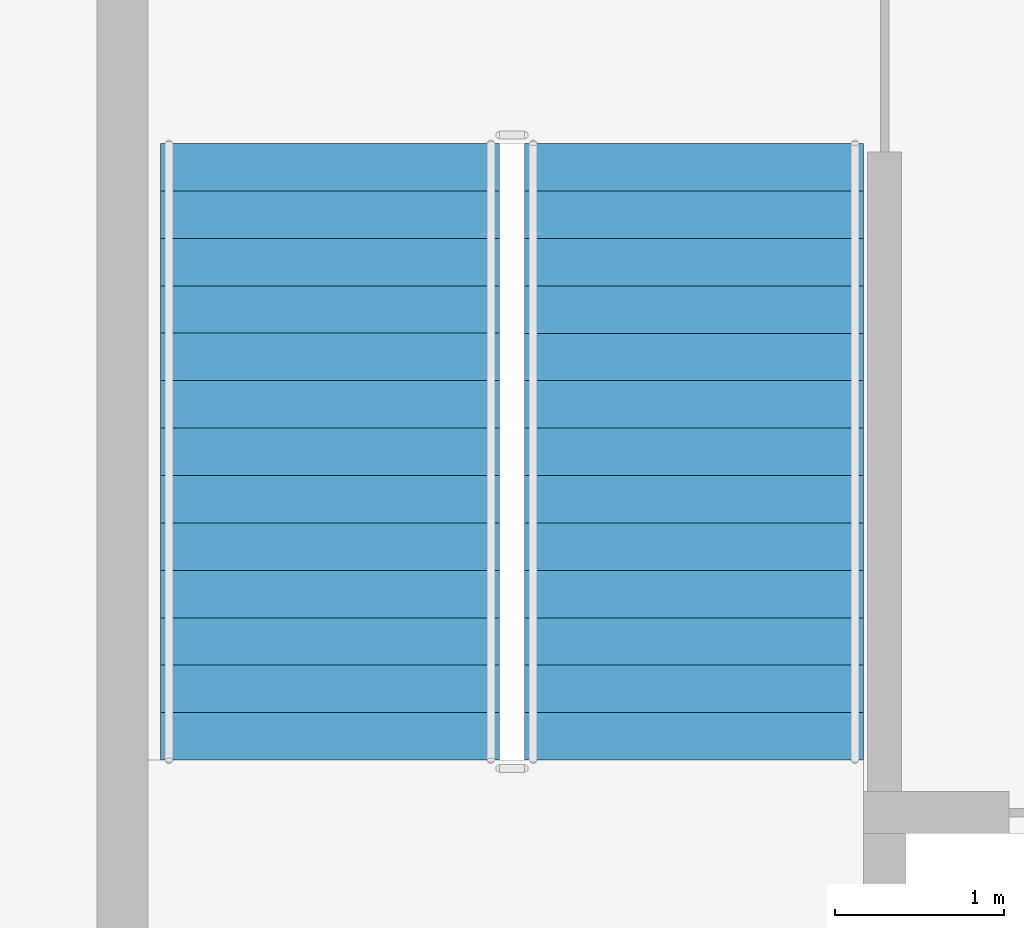
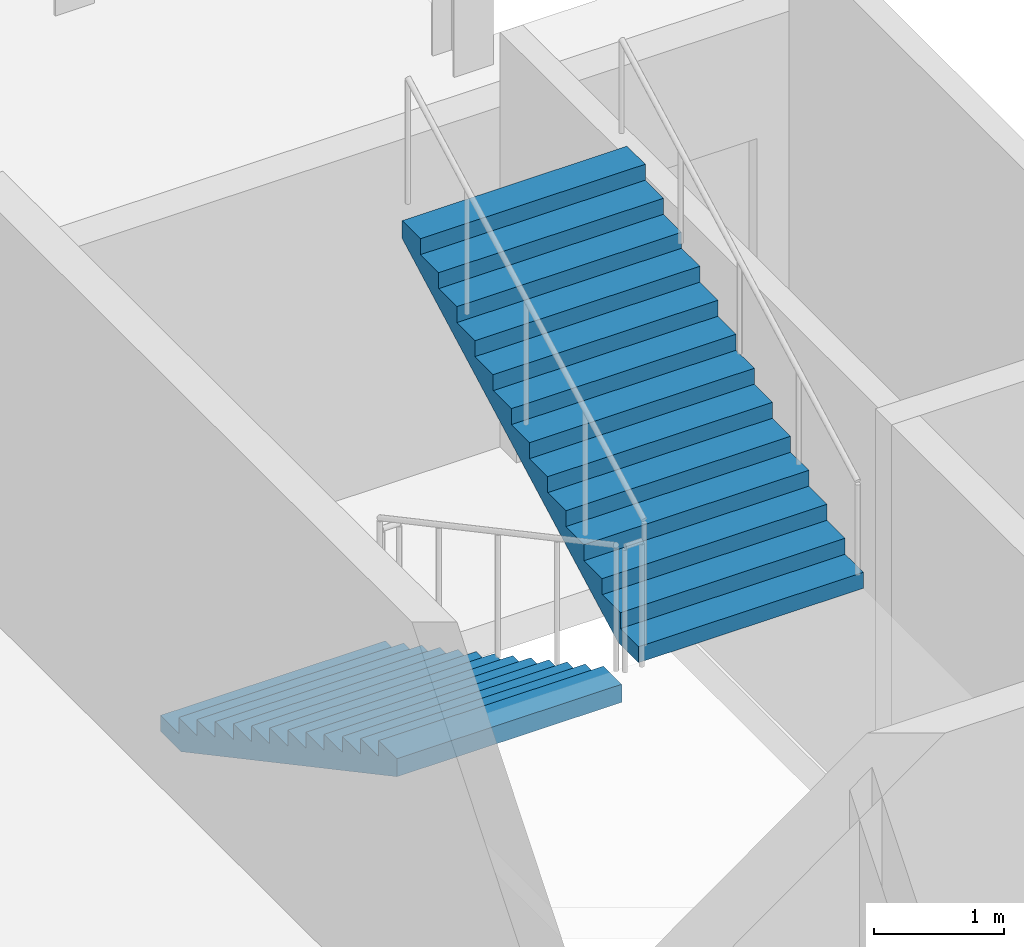
# One storey, part 4 of 7: 2 stair flights, 1 element without a shape of its own.
"""IFC4 building model written with IfcOpenShell, lengths in metres."""

import ifcopenshell
import ifcopenshell.guid

model = None  # the IFC model being written
_history = None  # IfcOwnerHistory: only IFC2X3 demands one
_inside = {}  # id of a spatial element -> (the spatial element, [elements in it])
_under = {}  # id of a project, library or spatial element -> (it, [spatial elements below it])
_declared = {}  # id of a project -> (the project, [libraries it declares])
_typed = {}  # id of a type object -> (the type object, [elements of that type])
_made_of = {}  # id of a material, layer set ... -> (it, [elements and type objects made of it])


def new_model(schema):
    """Start an empty IFC model of exactly this schema.

    Asked for "IFC4X3", IfcOpenShell would pick the latest addendum, in which some entities
    have other attributes; the version numbers below select the first issue.
    IFC2X3 requires an IfcOwnerHistory on every rooted entity: one is made here for all.
    """
    global model, _history
    if schema == "IFC4X3":
        model = ifcopenshell.file(schema_version=(4, 3, 0, 0))
    else:
        model = ifcopenshell.file(schema=schema)
    _inside.clear()
    _under.clear()
    _declared.clear()
    _typed.clear()
    _made_of.clear()
    _history = None
    if model.schema == "IFC2X3":
        org = make("IfcOrganization", Name="unknown")
        user = make(
            "IfcPersonAndOrganization",
            ThePerson=make("IfcPerson", FamilyName="unknown"),
            TheOrganization=org,
        )
        app = make(
            "IfcApplication",
            ApplicationDeveloper=org,
            Version="unknown",
            ApplicationFullName="unknown",
            ApplicationIdentifier="unknown",
        )
        _history = make(
            "IfcOwnerHistory",
            OwningUser=user,
            OwningApplication=app,
            ChangeAction="ADDED",
            CreationDate=0,
        )
    return model


def make(cls, **values):
    """One entity of the class cls with the attributes given. An attribute that is None is left unset."""
    return model.create_entity(
        cls, **{name: value for name, value in values.items() if value is not None}
    )


def rooted(cls, **values):
    """An entity with a GlobalId (a new one), such as an element, a storey or a relation."""
    return make(cls, GlobalId=ifcopenshell.guid.new(), OwnerHistory=_history, **values)


def si_unit(unit_type, name, prefix=None):
    """IfcSIUnit, for example si_unit("LENGTHUNIT", "METRE", prefix="MILLI")."""
    return make("IfcSIUnit", UnitType=unit_type, Prefix=prefix, Name=name)


def assignment(units):
    """IfcUnitAssignment: the units of a project."""
    return None if units is None else make("IfcUnitAssignment", Units=units)


def point(xyz):
    """IfcCartesianPoint."""
    return None if xyz is None else make("IfcCartesianPoint", Coordinates=xyz)


def direction(xyz):
    """IfcDirection."""
    return None if xyz is None else make("IfcDirection", DirectionRatios=xyz)


def frame(location, z_axis=None, x_axis=None):
    """IfcAxis2Placement3D, a coordinate frame: its origin and axes. An axis left out is left unset."""
    return make(
        "IfcAxis2Placement3D",
        Location=point(location),
        Axis=direction(z_axis),
        RefDirection=direction(x_axis),
    )


def origin():
    """The frame at (0, 0, 0) with its axes left unset."""
    return frame((0.0, 0.0, 0.0))


def place(relative_to, where):
    """IfcLocalPlacement: puts the frame where relative to a parent placement (None: the world)."""
    return make(
        "IfcLocalPlacement", PlacementRelTo=relative_to, RelativePlacement=where
    )


def context(
    kind, dimensions, precision=None, world=None, true_north=None, identifier=None
):
    """IfcGeometricRepresentationContext, for example the 3D "Model" context."""
    return make(
        "IfcGeometricRepresentationContext",
        ContextIdentifier=identifier,
        ContextType=kind,
        CoordinateSpaceDimension=dimensions,
        Precision=precision,
        WorldCoordinateSystem=world,
        TrueNorth=true_north,
    )


def subcontext(parent, identifier, kind, view, scale=None):
    """IfcGeometricRepresentationSubContext, for example "Body" below "Model"."""
    return make(
        "IfcGeometricRepresentationSubContext",
        ContextIdentifier=identifier,
        ContextType=kind,
        ParentContext=parent,
        TargetScale=scale,
        TargetView=view,
    )


def project(units=None, contexts=None):
    """IfcProject with its units and contexts."""
    return rooted(
        "IfcProject",
        Name="project",
        RepresentationContexts=contexts,
        UnitsInContext=assignment(units),
    )


def spatial(cls, under=None, at=None, **own):
    """A site, building, storey or space (cls), placed at a placement, below another one or the project."""
    s = rooted(cls, ObjectPlacement=at, **own)
    if under is not None:
        _under.setdefault(under.id(), (under, []))[1].append(s)
    return s


def point_list(points):
    """IfcCartesianPointList2D or 3D."""
    cls = (
        "IfcCartesianPointList2D" if len(points[0]) == 2 else "IfcCartesianPointList3D"
    )
    return make(cls, CoordList=points)


def polygons(points, faces, closed=None, point_numbers=None):
    """IfcPolygonalFaceSet: a face is its outer loop, then its inner loops; points numbered from 1."""
    made = []
    for loops in faces:
        if len(loops) == 1:
            made.append(make("IfcIndexedPolygonalFace", CoordIndex=loops[0]))
        else:
            made.append(
                make(
                    "IfcIndexedPolygonalFaceWithVoids",
                    CoordIndex=loops[0],
                    InnerCoordIndices=loops[1:],
                )
            )
    return make(
        "IfcPolygonalFaceSet",
        Coordinates=point_list(points),
        Closed=closed,
        Faces=made,
        PnIndex=point_numbers,
    )


def shape(context_of_items, identifier, shape_type, items):
    """IfcShapeRepresentation: the items that make up one representation, for example the "Body"."""
    return make(
        "IfcShapeRepresentation",
        ContextOfItems=context_of_items,
        RepresentationIdentifier=identifier,
        RepresentationType=shape_type,
        Items=items,
    )


def material(Name=None, Category=None):
    """IfcMaterial."""
    return make("IfcMaterial", Name=Name, Category=Category)


def made_of(thing, what):
    """Note that an element or type object is made of a material, layer set ...; save() writes the relation."""
    if what is not None:
        _made_of.setdefault(what.id(), (what, []))[1].append(thing)
    return thing


def type_object(cls, material=None, **own):
    """A type object (cls), such as IfcWallType, which elements share."""
    return made_of(rooted(cls, **own), material)


def element(
    cls,
    number,
    at=None,
    inside=None,
    cuts=None,
    type_object=None,
    material=None,
    context=None,
    identifier="Body",
    shape_type=None,
    held_by="IfcProductDefinitionShape",
    body=None,
    shapes=None,
    **own,
):
    """One element of the class cls, such as IfcWall. Its Tag is "e" and its number.

    at: its placement. inside: the storey or other place that contains it. cuts: it is an
    opening in that element (IfcRelVoidsElement). A single representation is given by context,
    identifier, shape_type and body (its items); several are given by shapes. held_by: the class
    of the entity that holds the representations. save() writes the other relations.
    """
    e = rooted(cls, Tag="e%d" % number, ObjectPlacement=at, **own)
    if body is not None:
        shapes = [shape(context, identifier, shape_type, body)]
    if shapes is not None:
        e.Representation = make(held_by, Representations=shapes)
    if inside is not None:
        _inside.setdefault(inside.id(), (inside, []))[1].append(e)
    if cuts is not None:
        rooted(
            "IfcRelVoidsElement", RelatingBuildingElement=cuts, RelatedOpeningElement=e
        )
    if type_object is not None:
        _typed.setdefault(type_object.id(), (type_object, []))[1].append(e)
    return made_of(e, material)


def aggregate(whole, parts):
    """IfcRelAggregates: a whole, such as a stair, and the parts it consists of."""
    return rooted("IfcRelAggregates", RelatingObject=whole, RelatedObjects=parts)


def save(model, path):
    """Write the relations noted so far, then the file.

    IfcRelAggregates (storeys below a building ...), IfcRelContainedInSpatialStructure (elements
    in a storey), IfcRelDefinesByType, IfcRelAssociatesMaterial and IfcRelDeclares: one each for
    every whole, place, type object, material and project.
    """
    for whole, parts in _under.values():
        aggregate(whole, parts)
    for where, things in _inside.values():
        rooted(
            "IfcRelContainedInSpatialStructure",
            RelatedElements=things,
            RelatingStructure=where,
        )
    for kind, things in _typed.values():
        rooted("IfcRelDefinesByType", RelatedObjects=things, RelatingType=kind)
    for what, things in _made_of.values():
        rooted("IfcRelAssociatesMaterial", RelatedObjects=things, RelatingMaterial=what)
    for by, libraries in _declared.values():
        rooted("IfcRelDeclares", RelatingContext=by, RelatedDefinitions=libraries)
    model.write(path)


model = new_model("IFC4")

# Units and contexts
model_context = context("Model", 3, precision=1e-05, world=origin(), true_north=direction((0.0, 1.0)))
body_context = subcontext(model_context, "Body", "Model", "MODEL_VIEW")
ifc_project = project(units=[si_unit("LENGTHUNIT", "METRE"), si_unit("AREAUNIT", "SQUARE_METRE"), si_unit("VOLUMEUNIT", "CUBIC_METRE"), si_unit("PLANEANGLEUNIT", "RADIAN"), si_unit("MASSUNIT", "GRAM", prefix="KILO")], contexts=[model_context])

# Site, building, storey
site_placement = place(None, origin())
site = spatial("IfcSite", under=ifc_project, at=site_placement, CompositionType="ELEMENT")
building_placement = place(site_placement, origin())
building = spatial("IfcBuilding", under=site, at=building_placement, Name="Caravel Reach Hotel and Residences", CompositionType="ELEMENT")
storey_placement = place(building_placement, frame((0.0, 0.0, 317.0)))
storey = spatial("IfcBuildingStorey", under=building, at=storey_placement, Name="L80", CompositionType="ELEMENT", Elevation=317.0)

# Stair, stair flights
ifc_material_1 = material(Name="Concrete C40", Category="concrete")
stair_type = type_object("IfcStairType", Name="Core stair", PredefinedType="HALF_TURN_STAIR", material=ifc_material_1)
stair_placement = place(storey_placement, origin())
stair = element("IfcStair", 1, at=stair_placement, inside=storey, type_object=stair_type, Name="L80 Exit stair A", PredefinedType="HALF_TURN_STAIR")
ifc_material_2 = material(Name="Concrete C40", Category="concrete")
stair_flight_type = type_object("IfcStairFlightType", Name="Core stair flight", PredefinedType="STRAIGHT", material=ifc_material_2)
stair_flight_1_placement = place(storey_placement, frame((19.22509765625, 29.35009765625, 0.0), z_axis=(0.0, 0.0, 1.0), x_axis=(0.0, -1.0, 0.0)))
stair_flight_1 = element("IfcStairFlight", 2, at=stair_flight_1_placement, type_object=stair_flight_type, Name="ST-A flight 1", NumberOfRisers=14, NumberOfTreads=13, PredefinedType="STRAIGHT", RiserHeight=0.15, TreadLength=0.28, context=body_context, shape_type="Tessellation", body=[
    polygons([(0.3174408016601862, 1.0, 0.0), (0.3174408016601862, 0.6666666666666667, 0.0), (0.3174408016601862, 0.33333333333333337, 0.0), (0.3174408016601862, 0.0, 0.0), (0.3174408016601862, -0.33333333333333326, 0.0), (0.3174408016601862, -0.6666666666666667, 0.0), (0.3174408016601862, -1.0, 0.0), (3.6410000000000005, 1.0, 1.7799424276820432), (3.6410000000000005, 0.6666666666666667, 1.7799424276820432), (3.6410000000000005, 0.33333333333333337, 1.7799424276820432), (3.6410000000000005, 0.0, 1.7799424276820432), (3.6410000000000005, -0.33333333333333326, 1.7799424276820432), (3.6410000000000005, -0.6666666666666667, 1.7799424276820432), (3.6410000000000005, -1.0, 1.7799424276820432), (3.6410000000000005, 1.0, 1.95), (3.6410000000000005, 0.6666666666666667, 1.95), (3.6410000000000005, 0.33333333333333337, 1.95), (3.6410000000000005, 0.0, 1.95), (3.6410000000000005, -0.33333333333333326, 1.95), (3.6410000000000005, -0.6666666666666667, 1.95), (3.6410000000000005, -1.0, 1.95), (3.3600000000000003, 1.0, 1.95), (3.3600000000000003, 0.6666666666666667, 1.95), (3.3600000000000003, 0.33333333333333337, 1.95), (3.3600000000000003, 0.0, 1.95), (3.3600000000000003, -0.33333333333333326, 1.95), (3.3600000000000003, -0.6666666666666667, 1.95), (3.3600000000000003, -1.0, 1.95), (3.3600000000000003, 1.0, 1.7999999999999998), (3.3600000000000003, 0.6666666666666667, 1.7999999999999998), (3.3600000000000003, 0.33333333333333337, 1.7999999999999998), (3.3600000000000003, 0.0, 1.7999999999999998), (3.3600000000000003, -0.33333333333333326, 1.7999999999999998), (3.3600000000000003, -0.6666666666666667, 1.7999999999999998), (3.3600000000000003, -1.0, 1.7999999999999998), (3.08, 1.0, 1.7999999999999998), (3.08, 0.6666666666666667, 1.7999999999999998), (3.08, 0.33333333333333337, 1.7999999999999998), (3.08, 0.0, 1.7999999999999998), (3.08, -0.33333333333333326, 1.7999999999999998), (3.08, -0.6666666666666667, 1.7999999999999998), (3.08, -1.0, 1.7999999999999998), (3.08, 1.0, 1.65), (3.08, 0.6666666666666667, 1.65), (3.08, 0.33333333333333337, 1.65), (3.08, 0.0, 1.65), (3.08, -0.33333333333333326, 1.65), (3.08, -0.6666666666666667, 1.65), (3.08, -1.0, 1.65), (2.8000000000000003, 1.0, 1.65), (2.8000000000000003, 0.6666666666666667, 1.65), (2.8000000000000003, 0.33333333333333337, 1.65), (2.8000000000000003, 0.0, 1.65), (2.8000000000000003, -0.33333333333333326, 1.65), (2.8000000000000003, -0.6666666666666667, 1.65), (2.8000000000000003, -1.0, 1.65), (2.8000000000000003, 1.0, 1.5), (2.8000000000000003, 0.6666666666666667, 1.5), (2.8000000000000003, 0.33333333333333337, 1.5), (2.8000000000000003, 0.0, 1.5), (2.8000000000000003, -0.33333333333333326, 1.5), (2.8000000000000003, -0.6666666666666667, 1.5), (2.8000000000000003, -1.0, 1.5), (2.5200000000000005, 1.0, 1.5), (2.5200000000000005, 0.6666666666666667, 1.5), (2.5200000000000005, 0.33333333333333337, 1.5), (2.5200000000000005, 0.0, 1.5), (2.5200000000000005, -0.33333333333333326, 1.5), (2.5200000000000005, -0.6666666666666667, 1.5), (2.5200000000000005, -1.0, 1.5), (2.5200000000000005, 1.0, 1.3499999999999999), (2.5200000000000005, 0.6666666666666667, 1.3499999999999999), (2.5200000000000005, 0.33333333333333337, 1.3499999999999999), (2.5200000000000005, 0.0, 1.3499999999999999), (2.5200000000000005, -0.33333333333333326, 1.3499999999999999), (2.5200000000000005, -0.6666666666666667, 1.3499999999999999), (2.5200000000000005, -1.0, 1.3499999999999999), (2.24, 1.0, 1.3499999999999999), (2.24, 0.6666666666666667, 1.3499999999999999), (2.24, 0.33333333333333337, 1.3499999999999999), (2.24, 0.0, 1.3499999999999999), (2.24, -0.33333333333333326, 1.3499999999999999), (2.24, -0.6666666666666667, 1.3499999999999999), (2.24, -1.0, 1.3499999999999999), (2.24, 1.0, 1.2), (2.24, 0.6666666666666667, 1.2), (2.24, 0.33333333333333337, 1.2), (2.24, 0.0, 1.2), (2.24, -0.33333333333333326, 1.2), (2.24, -0.6666666666666667, 1.2), (2.24, -1.0, 1.2), (1.9600000000000002, 1.0, 1.2), (1.9600000000000002, 0.6666666666666667, 1.2), (1.9600000000000002, 0.33333333333333337, 1.2), (1.9600000000000002, 0.0, 1.2), (1.9600000000000002, -0.33333333333333326, 1.2), (1.9600000000000002, -0.6666666666666667, 1.2), (1.9600000000000002, -1.0, 1.2), (1.9600000000000002, 1.0, 1.05), (1.9600000000000002, 0.6666666666666667, 1.05), (1.9600000000000002, 0.33333333333333337, 1.05), (1.9600000000000002, 0.0, 1.05), (1.9600000000000002, -0.33333333333333326, 1.05), (1.9600000000000002, -0.6666666666666667, 1.05), (1.9600000000000002, -1.0, 1.05), (1.6800000000000002, 1.0, 1.05), (1.6800000000000002, 0.6666666666666667, 1.05), (1.6800000000000002, 0.33333333333333337, 1.05), (1.6800000000000002, 0.0, 1.05), (1.6800000000000002, -0.33333333333333326, 1.05), (1.6800000000000002, -0.6666666666666667, 1.05), (1.6800000000000002, -1.0, 1.05), (1.6800000000000002, 1.0, 0.8999999999999999), (1.6800000000000002, 0.6666666666666667, 0.8999999999999999), (1.6800000000000002, 0.33333333333333337, 0.8999999999999999), (1.6800000000000002, 0.0, 0.8999999999999999), (1.6800000000000002, -0.33333333333333326, 0.8999999999999999), (1.6800000000000002, -0.6666666666666667, 0.8999999999999999), (1.6800000000000002, -1.0, 0.8999999999999999), (1.4000000000000001, 1.0, 0.8999999999999999), (1.4000000000000001, 0.6666666666666667, 0.8999999999999999), (1.4000000000000001, 0.33333333333333337, 0.8999999999999999), (1.4000000000000001, 0.0, 0.8999999999999999), (1.4000000000000001, -0.33333333333333326, 0.8999999999999999), (1.4000000000000001, -0.6666666666666667, 0.8999999999999999), (1.4000000000000001, -1.0, 0.8999999999999999), (1.4000000000000001, 1.0, 0.75), (1.4000000000000001, 0.6666666666666667, 0.75), (1.4000000000000001, 0.33333333333333337, 0.75), (1.4000000000000001, 0.0, 0.75), (1.4000000000000001, -0.33333333333333326, 0.75), (1.4000000000000001, -0.6666666666666667, 0.75), (1.4000000000000001, -1.0, 0.75), (1.12, 1.0, 0.75), (1.12, 0.6666666666666667, 0.75), (1.12, 0.33333333333333337, 0.75), (1.12, 0.0, 0.75), (1.12, -0.33333333333333326, 0.75), (1.12, -0.6666666666666667, 0.75), (1.12, -1.0, 0.75), (1.12, 1.0, 0.6), (1.12, 0.6666666666666667, 0.6), (1.12, 0.33333333333333337, 0.6), (1.12, 0.0, 0.6), (1.12, -0.33333333333333326, 0.6), (1.12, -0.6666666666666667, 0.6), (1.12, -1.0, 0.6), (0.8400000000000001, 1.0, 0.6), (0.8400000000000001, 0.6666666666666667, 0.6), (0.8400000000000001, 0.33333333333333337, 0.6), (0.8400000000000001, 0.0, 0.6), (0.8400000000000001, -0.33333333333333326, 0.6), (0.8400000000000001, -0.6666666666666667, 0.6), (0.8400000000000001, -1.0, 0.6), (0.8400000000000001, 1.0, 0.44999999999999996), (0.8400000000000001, 0.6666666666666667, 0.44999999999999996), (0.8400000000000001, 0.33333333333333337, 0.44999999999999996), (0.8400000000000001, 0.0, 0.44999999999999996), (0.8400000000000001, -0.33333333333333326, 0.44999999999999996), (0.8400000000000001, -0.6666666666666667, 0.44999999999999996), (0.8400000000000001, -1.0, 0.44999999999999996), (0.56, 1.0, 0.44999999999999996), (0.56, 0.6666666666666667, 0.44999999999999996), (0.56, 0.33333333333333337, 0.44999999999999996), (0.56, 0.0, 0.44999999999999996), (0.56, -0.33333333333333326, 0.44999999999999996), (0.56, -0.6666666666666667, 0.44999999999999996), (0.56, -1.0, 0.44999999999999996), (0.56, 1.0, 0.3), (0.56, 0.6666666666666667, 0.3), (0.56, 0.33333333333333337, 0.3), (0.56, 0.0, 0.3), (0.56, -0.33333333333333326, 0.3), (0.56, -0.6666666666666667, 0.3), (0.56, -1.0, 0.3), (0.28, 1.0, 0.3), (0.28, 0.6666666666666667, 0.3), (0.28, 0.33333333333333337, 0.3), (0.28, 0.0, 0.3), (0.28, -0.33333333333333326, 0.3), (0.28, -0.6666666666666667, 0.3), (0.28, -1.0, 0.3), (0.28, 1.0, 0.15), (0.28, 0.6666666666666667, 0.15), (0.28, 0.33333333333333337, 0.15), (0.28, 0.0, 0.15), (0.28, -0.33333333333333326, 0.15), (0.28, -0.6666666666666667, 0.15), (0.28, -1.0, 0.15), (-0.001, 1.0, 0.15), (-0.001, 0.6666666666666667, 0.15), (-0.001, 0.33333333333333337, 0.15), (-0.001, 0.0, 0.15), (-0.001, -0.33333333333333326, 0.15), (-0.001, -0.6666666666666667, 0.15), (-0.001, -1.0, 0.15), (-0.001, 1.0, 0.0), (-0.001, 0.6666666666666667, 0.0), (-0.001, 0.33333333333333337, 0.0), (-0.001, 0.0, 0.0), (-0.001, -0.33333333333333326, 0.0), (-0.001, -0.6666666666666667, 0.0), (-0.001, -1.0, 0.0)], [[[197, 190, 183, 176, 169, 162, 155, 148, 141, 134, 127, 120, 113, 106, 99, 92, 85, 78, 71, 64, 57, 50, 43, 36, 29, 22, 15, 8, 1]], [[7, 14, 21, 28, 35, 42, 49, 56, 63, 70, 77, 84, 91, 98, 105, 112, 119, 126, 133, 140, 147, 154, 161, 168, 175, 182, 189, 196, 203]], [[1, 8, 9, 2]], [[2, 9, 10, 3]], [[3, 10, 11, 4]], [[4, 11, 12, 5]], [[5, 12, 13, 6]], [[6, 13, 14, 7]], [[8, 15, 16, 9]], [[9, 16, 17, 10]], [[10, 17, 18, 11]], [[11, 18, 19, 12]], [[12, 19, 20, 13]], [[13, 20, 21, 14]], [[15, 22, 23, 16]], [[16, 23, 24, 17]], [[17, 24, 25, 18]], [[18, 25, 26, 19]], [[19, 26, 27, 20]], [[20, 27, 28, 21]], [[22, 29, 30, 23]], [[23, 30, 31, 24]], [[24, 31, 32, 25]], [[25, 32, 33, 26]], [[26, 33, 34, 27]], [[27, 34, 35, 28]], [[29, 36, 37, 30]], [[30, 37, 38, 31]], [[31, 38, 39, 32]], [[32, 39, 40, 33]], [[33, 40, 41, 34]], [[34, 41, 42, 35]], [[36, 43, 44, 37]], [[37, 44, 45, 38]], [[38, 45, 46, 39]], [[39, 46, 47, 40]], [[40, 47, 48, 41]], [[41, 48, 49, 42]], [[43, 50, 51, 44]], [[44, 51, 52, 45]], [[45, 52, 53, 46]], [[46, 53, 54, 47]], [[47, 54, 55, 48]], [[48, 55, 56, 49]], [[50, 57, 58, 51]], [[51, 58, 59, 52]], [[52, 59, 60, 53]], [[53, 60, 61, 54]], [[54, 61, 62, 55]], [[55, 62, 63, 56]], [[57, 64, 65, 58]], [[58, 65, 66, 59]], [[59, 66, 67, 60]], [[60, 67, 68, 61]], [[61, 68, 69, 62]], [[62, 69, 70, 63]], [[64, 71, 72, 65]], [[65, 72, 73, 66]], [[66, 73, 74, 67]], [[67, 74, 75, 68]], [[68, 75, 76, 69]], [[69, 76, 77, 70]], [[71, 78, 79, 72]], [[72, 79, 80, 73]], [[73, 80, 81, 74]], [[74, 81, 82, 75]], [[75, 82, 83, 76]], [[76, 83, 84, 77]], [[78, 85, 86, 79]], [[79, 86, 87, 80]], [[80, 87, 88, 81]], [[81, 88, 89, 82]], [[82, 89, 90, 83]], [[83, 90, 91, 84]], [[85, 92, 93, 86]], [[86, 93, 94, 87]], [[87, 94, 95, 88]], [[88, 95, 96, 89]], [[89, 96, 97, 90]], [[90, 97, 98, 91]], [[92, 99, 100, 93]], [[93, 100, 101, 94]], [[94, 101, 102, 95]], [[95, 102, 103, 96]], [[96, 103, 104, 97]], [[97, 104, 105, 98]], [[99, 106, 107, 100]], [[100, 107, 108, 101]], [[101, 108, 109, 102]], [[102, 109, 110, 103]], [[103, 110, 111, 104]], [[104, 111, 112, 105]], [[106, 113, 114, 107]], [[107, 114, 115, 108]], [[108, 115, 116, 109]], [[109, 116, 117, 110]], [[110, 117, 118, 111]], [[111, 118, 119, 112]], [[113, 120, 121, 114]], [[114, 121, 122, 115]], [[115, 122, 123, 116]], [[116, 123, 124, 117]], [[117, 124, 125, 118]], [[118, 125, 126, 119]], [[120, 127, 128, 121]], [[121, 128, 129, 122]], [[122, 129, 130, 123]], [[123, 130, 131, 124]], [[124, 131, 132, 125]], [[125, 132, 133, 126]], [[127, 134, 135, 128]], [[128, 135, 136, 129]], [[129, 136, 137, 130]], [[130, 137, 138, 131]], [[131, 138, 139, 132]], [[132, 139, 140, 133]], [[134, 141, 142, 135]], [[135, 142, 143, 136]], [[136, 143, 144, 137]], [[137, 144, 145, 138]], [[138, 145, 146, 139]], [[139, 146, 147, 140]], [[141, 148, 149, 142]], [[142, 149, 150, 143]], [[143, 150, 151, 144]], [[144, 151, 152, 145]], [[145, 152, 153, 146]], [[146, 153, 154, 147]], [[148, 155, 156, 149]], [[149, 156, 157, 150]], [[150, 157, 158, 151]], [[151, 158, 159, 152]], [[152, 159, 160, 153]], [[153, 160, 161, 154]], [[155, 162, 163, 156]], [[156, 163, 164, 157]], [[157, 164, 165, 158]], [[158, 165, 166, 159]], [[159, 166, 167, 160]], [[160, 167, 168, 161]], [[162, 169, 170, 163]], [[163, 170, 171, 164]], [[164, 171, 172, 165]], [[165, 172, 173, 166]], [[166, 173, 174, 167]], [[167, 174, 175, 168]], [[169, 176, 177, 170]], [[170, 177, 178, 171]], [[171, 178, 179, 172]], [[172, 179, 180, 173]], [[173, 180, 181, 174]], [[174, 181, 182, 175]], [[176, 183, 184, 177]], [[177, 184, 185, 178]], [[178, 185, 186, 179]], [[179, 186, 187, 180]], [[180, 187, 188, 181]], [[181, 188, 189, 182]], [[183, 190, 191, 184]], [[184, 191, 192, 185]], [[185, 192, 193, 186]], [[186, 193, 194, 187]], [[187, 194, 195, 188]], [[188, 195, 196, 189]], [[190, 197, 198, 191]], [[191, 198, 199, 192]], [[192, 199, 200, 193]], [[193, 200, 201, 194]], [[194, 201, 202, 195]], [[195, 202, 203, 196]], [[197, 1, 2, 198]], [[198, 2, 3, 199]], [[199, 3, 4, 200]], [[200, 4, 5, 201]], [[201, 5, 6, 202]], [[202, 6, 7, 203]]], closed=True),
])
stair_flight_2_placement = place(storey_placement, frame((21.375, 25.7099609375, 2.10009765625), z_axis=(0.0, 0.0, 1.0), x_axis=(0.0, 1.0, 0.0)))
stair_flight_2 = element("IfcStairFlight", 3, at=stair_flight_2_placement, type_object=stair_flight_type, Name="ST-A flight 2", NumberOfRisers=14, NumberOfTreads=13, PredefinedType="STRAIGHT", RiserHeight=0.15, TreadLength=0.28, context=body_context, shape_type="Tessellation", body=[
    polygons([(0.3174408016601862, 1.0, 0.0), (0.3174408016601862, 0.6666666666666667, 0.0), (0.3174408016601862, 0.33333333333333337, 0.0), (0.3174408016601862, 0.0, 0.0), (0.3174408016601862, -0.33333333333333326, 0.0), (0.3174408016601862, -0.6666666666666667, 0.0), (0.3174408016601862, -1.0, 0.0), (3.6410000000000005, 1.0, 1.7799424276820432), (3.6410000000000005, 0.6666666666666667, 1.7799424276820432), (3.6410000000000005, 0.33333333333333337, 1.7799424276820432), (3.6410000000000005, 0.0, 1.7799424276820432), (3.6410000000000005, -0.33333333333333326, 1.7799424276820432), (3.6410000000000005, -0.6666666666666667, 1.7799424276820432), (3.6410000000000005, -1.0, 1.7799424276820432), (3.6410000000000005, 1.0, 1.95), (3.6410000000000005, 0.6666666666666667, 1.95), (3.6410000000000005, 0.33333333333333337, 1.95), (3.6410000000000005, 0.0, 1.95), (3.6410000000000005, -0.33333333333333326, 1.95), (3.6410000000000005, -0.6666666666666667, 1.95), (3.6410000000000005, -1.0, 1.95), (3.3600000000000003, 1.0, 1.95), (3.3600000000000003, 0.6666666666666667, 1.95), (3.3600000000000003, 0.33333333333333337, 1.95), (3.3600000000000003, 0.0, 1.95), (3.3600000000000003, -0.33333333333333326, 1.95), (3.3600000000000003, -0.6666666666666667, 1.95), (3.3600000000000003, -1.0, 1.95), (3.3600000000000003, 1.0, 1.7999999999999998), (3.3600000000000003, 0.6666666666666667, 1.7999999999999998), (3.3600000000000003, 0.33333333333333337, 1.7999999999999998), (3.3600000000000003, 0.0, 1.7999999999999998), (3.3600000000000003, -0.33333333333333326, 1.7999999999999998), (3.3600000000000003, -0.6666666666666667, 1.7999999999999998), (3.3600000000000003, -1.0, 1.7999999999999998), (3.08, 1.0, 1.7999999999999998), (3.08, 0.6666666666666667, 1.7999999999999998), (3.08, 0.33333333333333337, 1.7999999999999998), (3.08, 0.0, 1.7999999999999998), (3.08, -0.33333333333333326, 1.7999999999999998), (3.08, -0.6666666666666667, 1.7999999999999998), (3.08, -1.0, 1.7999999999999998), (3.08, 1.0, 1.65), (3.08, 0.6666666666666667, 1.65), (3.08, 0.33333333333333337, 1.65), (3.08, 0.0, 1.65), (3.08, -0.33333333333333326, 1.65), (3.08, -0.6666666666666667, 1.65), (3.08, -1.0, 1.65), (2.8000000000000003, 1.0, 1.65), (2.8000000000000003, 0.6666666666666667, 1.65), (2.8000000000000003, 0.33333333333333337, 1.65), (2.8000000000000003, 0.0, 1.65), (2.8000000000000003, -0.33333333333333326, 1.65), (2.8000000000000003, -0.6666666666666667, 1.65), (2.8000000000000003, -1.0, 1.65), (2.8000000000000003, 1.0, 1.5), (2.8000000000000003, 0.6666666666666667, 1.5), (2.8000000000000003, 0.33333333333333337, 1.5), (2.8000000000000003, 0.0, 1.5), (2.8000000000000003, -0.33333333333333326, 1.5), (2.8000000000000003, -0.6666666666666667, 1.5), (2.8000000000000003, -1.0, 1.5), (2.5200000000000005, 1.0, 1.5), (2.5200000000000005, 0.6666666666666667, 1.5), (2.5200000000000005, 0.33333333333333337, 1.5), (2.5200000000000005, 0.0, 1.5), (2.5200000000000005, -0.33333333333333326, 1.5), (2.5200000000000005, -0.6666666666666667, 1.5), (2.5200000000000005, -1.0, 1.5), (2.5200000000000005, 1.0, 1.3499999999999999), (2.5200000000000005, 0.6666666666666667, 1.3499999999999999), (2.5200000000000005, 0.33333333333333337, 1.3499999999999999), (2.5200000000000005, 0.0, 1.3499999999999999), (2.5200000000000005, -0.33333333333333326, 1.3499999999999999), (2.5200000000000005, -0.6666666666666667, 1.3499999999999999), (2.5200000000000005, -1.0, 1.3499999999999999), (2.24, 1.0, 1.3499999999999999), (2.24, 0.6666666666666667, 1.3499999999999999), (2.24, 0.33333333333333337, 1.3499999999999999), (2.24, 0.0, 1.3499999999999999), (2.24, -0.33333333333333326, 1.3499999999999999), (2.24, -0.6666666666666667, 1.3499999999999999), (2.24, -1.0, 1.3499999999999999), (2.24, 1.0, 1.2), (2.24, 0.6666666666666667, 1.2), (2.24, 0.33333333333333337, 1.2), (2.24, 0.0, 1.2), (2.24, -0.33333333333333326, 1.2), (2.24, -0.6666666666666667, 1.2), (2.24, -1.0, 1.2), (1.9600000000000002, 1.0, 1.2), (1.9600000000000002, 0.6666666666666667, 1.2), (1.9600000000000002, 0.33333333333333337, 1.2), (1.9600000000000002, 0.0, 1.2), (1.9600000000000002, -0.33333333333333326, 1.2), (1.9600000000000002, -0.6666666666666667, 1.2), (1.9600000000000002, -1.0, 1.2), (1.9600000000000002, 1.0, 1.05), (1.9600000000000002, 0.6666666666666667, 1.05), (1.9600000000000002, 0.33333333333333337, 1.05), (1.9600000000000002, 0.0, 1.05), (1.9600000000000002, -0.33333333333333326, 1.05), (1.9600000000000002, -0.6666666666666667, 1.05), (1.9600000000000002, -1.0, 1.05), (1.6800000000000002, 1.0, 1.05), (1.6800000000000002, 0.6666666666666667, 1.05), (1.6800000000000002, 0.33333333333333337, 1.05), (1.6800000000000002, 0.0, 1.05), (1.6800000000000002, -0.33333333333333326, 1.05), (1.6800000000000002, -0.6666666666666667, 1.05), (1.6800000000000002, -1.0, 1.05), (1.6800000000000002, 1.0, 0.8999999999999999), (1.6800000000000002, 0.6666666666666667, 0.8999999999999999), (1.6800000000000002, 0.33333333333333337, 0.8999999999999999), (1.6800000000000002, 0.0, 0.8999999999999999), (1.6800000000000002, -0.33333333333333326, 0.8999999999999999), (1.6800000000000002, -0.6666666666666667, 0.8999999999999999), (1.6800000000000002, -1.0, 0.8999999999999999), (1.4000000000000001, 1.0, 0.8999999999999999), (1.4000000000000001, 0.6666666666666667, 0.8999999999999999), (1.4000000000000001, 0.33333333333333337, 0.8999999999999999), (1.4000000000000001, 0.0, 0.8999999999999999), (1.4000000000000001, -0.33333333333333326, 0.8999999999999999), (1.4000000000000001, -0.6666666666666667, 0.8999999999999999), (1.4000000000000001, -1.0, 0.8999999999999999), (1.4000000000000001, 1.0, 0.75), (1.4000000000000001, 0.6666666666666667, 0.75), (1.4000000000000001, 0.33333333333333337, 0.75), (1.4000000000000001, 0.0, 0.75), (1.4000000000000001, -0.33333333333333326, 0.75), (1.4000000000000001, -0.6666666666666667, 0.75), (1.4000000000000001, -1.0, 0.75), (1.12, 1.0, 0.75), (1.12, 0.6666666666666667, 0.75), (1.12, 0.33333333333333337, 0.75), (1.12, 0.0, 0.75), (1.12, -0.33333333333333326, 0.75), (1.12, -0.6666666666666667, 0.75), (1.12, -1.0, 0.75), (1.12, 1.0, 0.6), (1.12, 0.6666666666666667, 0.6), (1.12, 0.33333333333333337, 0.6), (1.12, 0.0, 0.6), (1.12, -0.33333333333333326, 0.6), (1.12, -0.6666666666666667, 0.6), (1.12, -1.0, 0.6), (0.8400000000000001, 1.0, 0.6), (0.8400000000000001, 0.6666666666666667, 0.6), (0.8400000000000001, 0.33333333333333337, 0.6), (0.8400000000000001, 0.0, 0.6), (0.8400000000000001, -0.33333333333333326, 0.6), (0.8400000000000001, -0.6666666666666667, 0.6), (0.8400000000000001, -1.0, 0.6), (0.8400000000000001, 1.0, 0.44999999999999996), (0.8400000000000001, 0.6666666666666667, 0.44999999999999996), (0.8400000000000001, 0.33333333333333337, 0.44999999999999996), (0.8400000000000001, 0.0, 0.44999999999999996), (0.8400000000000001, -0.33333333333333326, 0.44999999999999996), (0.8400000000000001, -0.6666666666666667, 0.44999999999999996), (0.8400000000000001, -1.0, 0.44999999999999996), (0.56, 1.0, 0.44999999999999996), (0.56, 0.6666666666666667, 0.44999999999999996), (0.56, 0.33333333333333337, 0.44999999999999996), (0.56, 0.0, 0.44999999999999996), (0.56, -0.33333333333333326, 0.44999999999999996), (0.56, -0.6666666666666667, 0.44999999999999996), (0.56, -1.0, 0.44999999999999996), (0.56, 1.0, 0.3), (0.56, 0.6666666666666667, 0.3), (0.56, 0.33333333333333337, 0.3), (0.56, 0.0, 0.3), (0.56, -0.33333333333333326, 0.3), (0.56, -0.6666666666666667, 0.3), (0.56, -1.0, 0.3), (0.28, 1.0, 0.3), (0.28, 0.6666666666666667, 0.3), (0.28, 0.33333333333333337, 0.3), (0.28, 0.0, 0.3), (0.28, -0.33333333333333326, 0.3), (0.28, -0.6666666666666667, 0.3), (0.28, -1.0, 0.3), (0.28, 1.0, 0.15), (0.28, 0.6666666666666667, 0.15), (0.28, 0.33333333333333337, 0.15), (0.28, 0.0, 0.15), (0.28, -0.33333333333333326, 0.15), (0.28, -0.6666666666666667, 0.15), (0.28, -1.0, 0.15), (-0.001, 1.0, 0.15), (-0.001, 0.6666666666666667, 0.15), (-0.001, 0.33333333333333337, 0.15), (-0.001, 0.0, 0.15), (-0.001, -0.33333333333333326, 0.15), (-0.001, -0.6666666666666667, 0.15), (-0.001, -1.0, 0.15), (-0.001, 1.0, 0.0), (-0.001, 0.6666666666666667, 0.0), (-0.001, 0.33333333333333337, 0.0), (-0.001, 0.0, 0.0), (-0.001, -0.33333333333333326, 0.0), (-0.001, -0.6666666666666667, 0.0), (-0.001, -1.0, 0.0)], [[[197, 190, 183, 176, 169, 162, 155, 148, 141, 134, 127, 120, 113, 106, 99, 92, 85, 78, 71, 64, 57, 50, 43, 36, 29, 22, 15, 8, 1]], [[7, 14, 21, 28, 35, 42, 49, 56, 63, 70, 77, 84, 91, 98, 105, 112, 119, 126, 133, 140, 147, 154, 161, 168, 175, 182, 189, 196, 203]], [[1, 8, 9, 2]], [[2, 9, 10, 3]], [[3, 10, 11, 4]], [[4, 11, 12, 5]], [[5, 12, 13, 6]], [[6, 13, 14, 7]], [[8, 15, 16, 9]], [[9, 16, 17, 10]], [[10, 17, 18, 11]], [[11, 18, 19, 12]], [[12, 19, 20, 13]], [[13, 20, 21, 14]], [[15, 22, 23, 16]], [[16, 23, 24, 17]], [[17, 24, 25, 18]], [[18, 25, 26, 19]], [[19, 26, 27, 20]], [[20, 27, 28, 21]], [[22, 29, 30, 23]], [[23, 30, 31, 24]], [[24, 31, 32, 25]], [[25, 32, 33, 26]], [[26, 33, 34, 27]], [[27, 34, 35, 28]], [[29, 36, 37, 30]], [[30, 37, 38, 31]], [[31, 38, 39, 32]], [[32, 39, 40, 33]], [[33, 40, 41, 34]], [[34, 41, 42, 35]], [[36, 43, 44, 37]], [[37, 44, 45, 38]], [[38, 45, 46, 39]], [[39, 46, 47, 40]], [[40, 47, 48, 41]], [[41, 48, 49, 42]], [[43, 50, 51, 44]], [[44, 51, 52, 45]], [[45, 52, 53, 46]], [[46, 53, 54, 47]], [[47, 54, 55, 48]], [[48, 55, 56, 49]], [[50, 57, 58, 51]], [[51, 58, 59, 52]], [[52, 59, 60, 53]], [[53, 60, 61, 54]], [[54, 61, 62, 55]], [[55, 62, 63, 56]], [[57, 64, 65, 58]], [[58, 65, 66, 59]], [[59, 66, 67, 60]], [[60, 67, 68, 61]], [[61, 68, 69, 62]], [[62, 69, 70, 63]], [[64, 71, 72, 65]], [[65, 72, 73, 66]], [[66, 73, 74, 67]], [[67, 74, 75, 68]], [[68, 75, 76, 69]], [[69, 76, 77, 70]], [[71, 78, 79, 72]], [[72, 79, 80, 73]], [[73, 80, 81, 74]], [[74, 81, 82, 75]], [[75, 82, 83, 76]], [[76, 83, 84, 77]], [[78, 85, 86, 79]], [[79, 86, 87, 80]], [[80, 87, 88, 81]], [[81, 88, 89, 82]], [[82, 89, 90, 83]], [[83, 90, 91, 84]], [[85, 92, 93, 86]], [[86, 93, 94, 87]], [[87, 94, 95, 88]], [[88, 95, 96, 89]], [[89, 96, 97, 90]], [[90, 97, 98, 91]], [[92, 99, 100, 93]], [[93, 100, 101, 94]], [[94, 101, 102, 95]], [[95, 102, 103, 96]], [[96, 103, 104, 97]], [[97, 104, 105, 98]], [[99, 106, 107, 100]], [[100, 107, 108, 101]], [[101, 108, 109, 102]], [[102, 109, 110, 103]], [[103, 110, 111, 104]], [[104, 111, 112, 105]], [[106, 113, 114, 107]], [[107, 114, 115, 108]], [[108, 115, 116, 109]], [[109, 116, 117, 110]], [[110, 117, 118, 111]], [[111, 118, 119, 112]], [[113, 120, 121, 114]], [[114, 121, 122, 115]], [[115, 122, 123, 116]], [[116, 123, 124, 117]], [[117, 124, 125, 118]], [[118, 125, 126, 119]], [[120, 127, 128, 121]], [[121, 128, 129, 122]], [[122, 129, 130, 123]], [[123, 130, 131, 124]], [[124, 131, 132, 125]], [[125, 132, 133, 126]], [[127, 134, 135, 128]], [[128, 135, 136, 129]], [[129, 136, 137, 130]], [[130, 137, 138, 131]], [[131, 138, 139, 132]], [[132, 139, 140, 133]], [[134, 141, 142, 135]], [[135, 142, 143, 136]], [[136, 143, 144, 137]], [[137, 144, 145, 138]], [[138, 145, 146, 139]], [[139, 146, 147, 140]], [[141, 148, 149, 142]], [[142, 149, 150, 143]], [[143, 150, 151, 144]], [[144, 151, 152, 145]], [[145, 152, 153, 146]], [[146, 153, 154, 147]], [[148, 155, 156, 149]], [[149, 156, 157, 150]], [[150, 157, 158, 151]], [[151, 158, 159, 152]], [[152, 159, 160, 153]], [[153, 160, 161, 154]], [[155, 162, 163, 156]], [[156, 163, 164, 157]], [[157, 164, 165, 158]], [[158, 165, 166, 159]], [[159, 166, 167, 160]], [[160, 167, 168, 161]], [[162, 169, 170, 163]], [[163, 170, 171, 164]], [[164, 171, 172, 165]], [[165, 172, 173, 166]], [[166, 173, 174, 167]], [[167, 174, 175, 168]], [[169, 176, 177, 170]], [[170, 177, 178, 171]], [[171, 178, 179, 172]], [[172, 179, 180, 173]], [[173, 180, 181, 174]], [[174, 181, 182, 175]], [[176, 183, 184, 177]], [[177, 184, 185, 178]], [[178, 185, 186, 179]], [[179, 186, 187, 180]], [[180, 187, 188, 181]], [[181, 188, 189, 182]], [[183, 190, 191, 184]], [[184, 191, 192, 185]], [[185, 192, 193, 186]], [[186, 193, 194, 187]], [[187, 194, 195, 188]], [[188, 195, 196, 189]], [[190, 197, 198, 191]], [[191, 198, 199, 192]], [[192, 199, 200, 193]], [[193, 200, 201, 194]], [[194, 201, 202, 195]], [[195, 202, 203, 196]], [[197, 1, 2, 198]], [[198, 2, 3, 199]], [[199, 3, 4, 200]], [[200, 4, 5, 201]], [[201, 5, 6, 202]], [[202, 6, 7, 203]]], closed=True),
])
aggregate(stair, [stair_flight_1, stair_flight_2])

save(model, "model.ifc")
